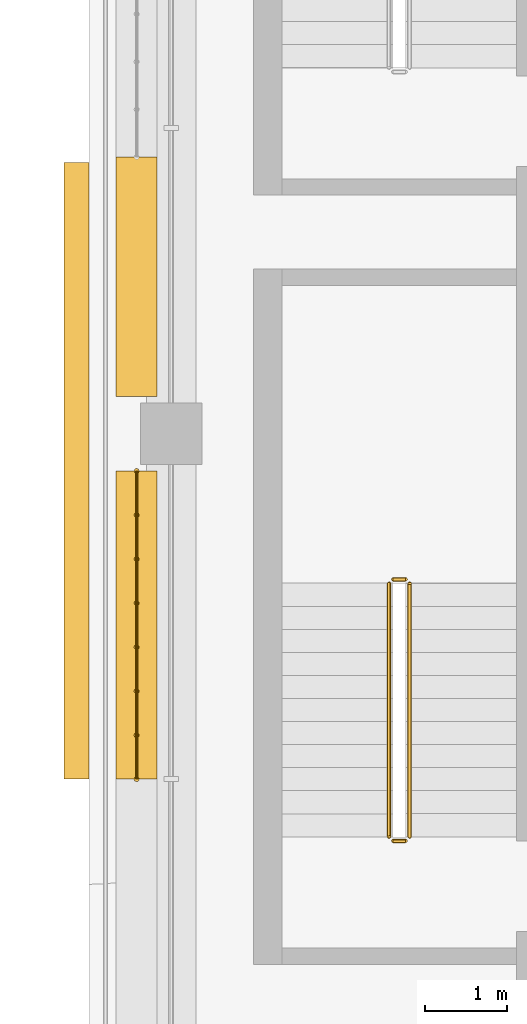
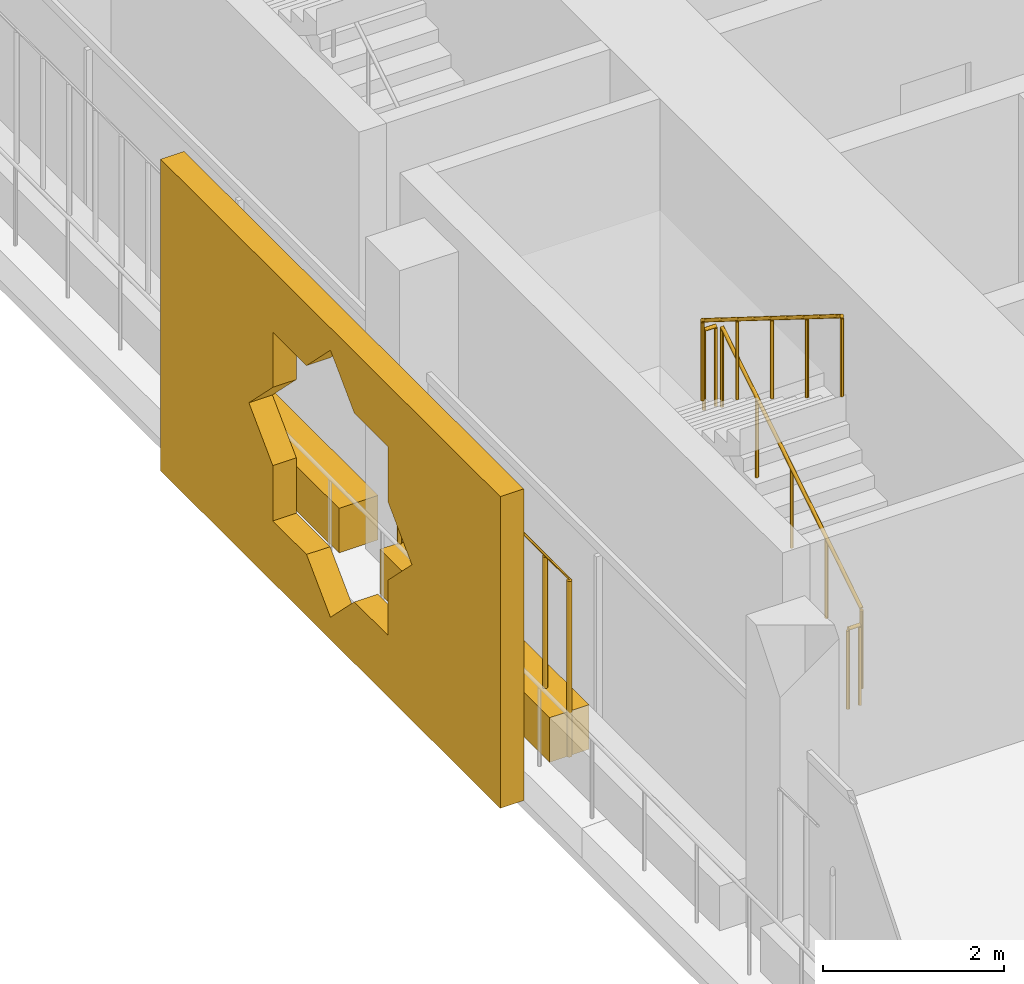
# One storey, part 17 of 21: 5 railings, 3 coverings.
"""IFC4 building model written with IfcOpenShell, lengths in metres."""

from ifc_helpers import new_model, si_unit, direction, frame, origin, origin_2d, place, context, subcontext, project, spatial, polyline, rectangle, circle, outline, extrude, material, material_profile, profile_set, type_object, element, save


model = new_model("IFC4")

# Units and contexts
model_context = context("Model", 3, precision=1e-05, world=origin(), true_north=direction((0.0, 1.0)))
body_context = subcontext(model_context, "Body", "Model", "MODEL_VIEW")
ifc_project = project(units=[si_unit("LENGTHUNIT", "METRE"), si_unit("AREAUNIT", "SQUARE_METRE"), si_unit("VOLUMEUNIT", "CUBIC_METRE"), si_unit("PLANEANGLEUNIT", "RADIAN"), si_unit("MASSUNIT", "GRAM", prefix="KILO")], contexts=[model_context])

# Site, building, storey
site_placement = place(None, origin())
site = spatial("IfcSite", under=ifc_project, at=site_placement, CompositionType="ELEMENT")
building_placement = place(site_placement, origin())
building = spatial("IfcBuilding", under=site, at=building_placement, Name="Kawkab Arch Medical Tower", CompositionType="ELEMENT")
storey_placement = place(building_placement, frame((0.0, 0.0, 311.199951171875)))
storey = spatial("IfcBuildingStorey", under=building, at=storey_placement, Name="L72", CompositionType="ELEMENT", Elevation=311.199951171875)

# Coverings
ifc_material_1 = material(Name="Bronze anodised aluminium mashrabiya panel, eight-point star pattern", Category="aluminium")
ifc_material_profile_1 = material_profile(ifc_material_1, outline(polyline([(-3.75, -2.10009765625), (3.75, -2.10009765625), (3.75, 2.10009765625), (-3.75, 2.10009765625), (-3.75, -2.10009765625)]), holes=[polyline([(1.800048828125, 0.0), (1.272705078125, 0.527099609375), (1.272705078125, 1.272705078125), (0.527099609375, 1.272705078125), (0.0, 1.800048828125), (-0.527099609375, 1.272705078125), (-1.272705078125, 1.272705078125), (-1.272705078125, 0.527099609375), (-1.800048828125, 0.0), (-1.272705078125, -0.527099609375), (-1.272705078125, -1.272705078125), (-0.527099609375, -1.272705078125), (0.0, -1.800048828125), (0.527099609375, -1.272705078125), (1.272705078125, -1.272705078125), (1.272705078125, -0.527099609375), (1.800048828125, 0.0)])]), Name="Mashrabiya panel 7500x4200")
ifc_profile_set_1 = profile_set([ifc_material_profile_1], Name="Bronze anodised aluminium mashrabiya panel, eight-point star pattern")
covering_type_1 = type_object("IfcCoveringType", Name="Mashrabiya panel 7500 x 4200", PredefinedType="USERDEFINED", material=ifc_profile_set_1)
covering_1_placement = place(storey_placement, frame((-1.0, -17.24951171875, 1.699951171875), z_axis=(-1.0, 0.0, 0.0), x_axis=(0.0, -1.0, 0.0)))
element("IfcCovering", 1, at=covering_1_placement, inside=storey, type_object=covering_type_1, Name="Mashrabiya panel L72.LOG-01-01.2", ObjectType="SCREEN", PredefinedType="USERDEFINED", context=body_context, shape_type="SweptSolid", body=[
    extrude(outline(polyline([(-3.75, -2.10009765625), (3.75, -2.10009765625), (3.75, 2.10009765625), (-3.75, 2.10009765625), (-3.75, -2.10009765625)]), holes=[polyline([(1.800048828125, 0.0), (1.272705078125, 0.527099609375), (1.272705078125, 1.272705078125), (0.527099609375, 1.272705078125), (0.0, 1.800048828125), (-0.527099609375, 1.272705078125), (-1.272705078125, 1.272705078125), (-1.272705078125, 0.527099609375), (-1.800048828125, 0.0), (-1.272705078125, -0.527099609375), (-1.272705078125, -1.272705078125), (-0.527099609375, -1.272705078125), (0.0, -1.800048828125), (0.527099609375, -1.272705078125), (1.272705078125, -1.272705078125), (1.272705078125, -0.527099609375), (1.800048828125, 0.0)])]), origin(), (0.0, 0.0, 1.0), 0.300048828125),
])
ifc_material_2 = material(Name="Planting soil in a precast trough", Category="concrete")
ifc_material_profile_2 = material_profile(ifc_material_2, rectangle(XDim=0.5, YDim=0.60009765625, at=origin_2d()), Name="Trough 500x600")
ifc_profile_set_2 = profile_set([ifc_material_profile_2], Name="Planting soil in a precast trough")
covering_type_2 = type_object("IfcCoveringType", Name="Planter trough 500 x 600", PredefinedType="USERDEFINED", material=ifc_profile_set_2)
covering_2_placement = place(storey_placement, frame((-0.419921875, -21.0, 0.300048828125), z_axis=(0.0, 1.0, 0.0), x_axis=(-1.0, 0.0, 0.0)))
element("IfcCovering", 2, at=covering_2_placement, inside=storey, type_object=covering_type_2, Name="Planter L72.LOG-01-01.7", ObjectType="PLANTER", PredefinedType="USERDEFINED", context=body_context, shape_type="SweptSolid", body=[
    extrude(rectangle(XDim=0.5, YDim=0.60009765625, at=origin_2d()), origin(), (0.0, 0.0, 1.0), 3.7470703125),
])
covering_3_placement = place(storey_placement, frame((-0.419921875, -16.346923828125, 0.300048828125), z_axis=(0.0, 1.0, 0.0), x_axis=(-1.0, 0.0, 0.0)))
element("IfcCovering", 3, at=covering_3_placement, inside=storey, type_object=covering_type_2, Name="Planter L72.LOG-01-01.8", ObjectType="PLANTER", PredefinedType="USERDEFINED", context=body_context, shape_type="SweptSolid", body=[
    extrude(rectangle(XDim=0.5, YDim=0.60009765625, at=origin_2d()), origin(), (0.0, 0.0, 1.0), 2.909912109375),
])

# Railings
ifc_material_3 = material(Name="Bronze anodised aluminium trellis for climbing plants", Category="aluminium")
railing_type_1 = type_object("IfcRailingType", Name="Planting trellis 2400", PredefinedType="USERDEFINED", material=ifc_material_3)
railing_1_placement = place(storey_placement, frame((-0.419921875, -21.0, 0.0)))
element("IfcRailing", 4, at=railing_1_placement, inside=storey, type_object=railing_type_1, Name="Planting trellis L72.LOG-01-01.7", ObjectType="TRELLIS", PredefinedType="USERDEFINED", context=body_context, shape_type="SweptSolid", body=[
    extrude(circle(Radius=0.01513671875, at=origin_2d()), frame((0.0, 0.0, 2.384765625), z_axis=(0.0, 1.0, 0.0), x_axis=(-1.0, 0.0, 0.0)), (0.0, 0.0, 1.0), 3.7470703125),
    extrude(circle(Radius=0.030029296875, at=origin_2d()), origin(), (0.0, 0.0, 1.0), 2.369873046875),
    extrude(circle(Radius=0.030029296875, at=origin_2d()), frame((0.0, 0.535400390625, 0.0)), (0.0, 0.0, 1.0), 2.369873046875),
    extrude(circle(Radius=0.030029296875, at=origin_2d()), frame((0.0, 1.070556640625, 0.0)), (0.0, 0.0, 1.0), 2.369873046875),
    extrude(circle(Radius=0.030029296875, at=origin_2d()), frame((0.0, 1.60595703125, 0.0)), (0.0, 0.0, 1.0), 2.369873046875),
    extrude(circle(Radius=0.030029296875, at=origin_2d()), frame((0.0, 2.14111328125, 0.0)), (0.0, 0.0, 1.0), 2.369873046875),
    extrude(circle(Radius=0.030029296875, at=origin_2d()), frame((0.0, 2.676513671875, 0.0)), (0.0, 0.0, 1.0), 2.369873046875),
    extrude(circle(Radius=0.030029296875, at=origin_2d()), frame((0.0, 3.211669921875, 0.0)), (0.0, 0.0, 1.0), 2.369873046875),
    extrude(circle(Radius=0.030029296875, at=origin_2d()), frame((0.0, 3.7470703125, 0.0)), (0.0, 0.0, 1.0), 2.369873046875),
])
ifc_material_4 = material(Name="Stainless steel", Category="steel")
railing_type_2 = type_object("IfcRailingType", Name="Stair guard 1100", PredefinedType="GUARDRAIL", material=ifc_material_4)
railing_2_placement = place(storey_placement, frame((2.89990234375, -21.699951171875, 0.175048828125)))
element("IfcRailing", 5, at=railing_2_placement, inside=storey, type_object=railing_type_2, Name="L72 ST2 stair guard 1", PredefinedType="GUARDRAIL", context=body_context, shape_type="SweptSolid", body=[
    extrude(circle(Radius=0.02392578125, at=origin_2d()), frame((0.0, 0.0, 1.076171875), z_axis=(0.0, 0.847979421464, 0.530029150871), x_axis=(-1.0, 0.0, 0.0)), (0.0, 0.0, 1.0), 3.632080078125),
    extrude(circle(Radius=0.02099609375, at=origin_2d()), origin(), (0.0, 0.0, 1.0), 1.052001953125),
    extrude(circle(Radius=0.02099609375, at=origin_2d()), frame((0.0, 0.77001953125, 0.481201171875)), (0.0, 0.0, 1.0), 1.052001953125),
    extrude(circle(Radius=0.02099609375, at=origin_2d()), frame((0.0, 1.5400390625, 0.96240234375)), (0.0, 0.0, 1.0), 1.052001953125),
    extrude(circle(Radius=0.02099609375, at=origin_2d()), frame((0.0, 2.309814453125, 1.44384765625)), (0.0, 0.0, 1.0), 1.052001953125),
    extrude(circle(Radius=0.02099609375, at=origin_2d()), frame((0.0, 3.079833984375, 1.925048828125)), (0.0, 0.0, 1.0), 1.052001953125),
])
railing_3_placement = place(storey_placement, frame((2.85009765625, -18.570068359375, 2.10009765625)))
element("IfcRailing", 6, at=railing_3_placement, inside=storey, type_object=railing_type_2, Name="L72 ST2 stair guard 2", PredefinedType="GUARDRAIL", context=body_context, shape_type="SweptSolid", body=[
    extrude(circle(Radius=0.02392578125, at=origin_2d()), frame((0.0, 0.0, 1.076171875), z_axis=(-1.0, 0.0, 0.0), x_axis=(0.0, -1.0, 0.0)), (0.0, 0.0, 1.0), 0.150146484375),
    extrude(circle(Radius=0.02099609375, at=origin_2d()), origin(), (0.0, 0.0, 1.0), 1.052001953125),
    extrude(circle(Radius=0.02099609375, at=origin_2d()), frame((-0.150146484375, 0.0, 0.0)), (0.0, 0.0, 1.0), 1.052001953125),
])
railing_4_placement = place(storey_placement, frame((2.64990234375, -18.6201171875, 2.275146484375)))
element("IfcRailing", 7, at=railing_4_placement, inside=storey, type_object=railing_type_2, Name="L72 ST2 stair guard 3", PredefinedType="GUARDRAIL", context=body_context, shape_type="SweptSolid", body=[
    extrude(circle(Radius=0.02392578125, at=origin_2d()), frame((0.0, 0.0, 1.076171875), z_axis=(0.0, -0.848009633417, 0.529980812513), x_axis=(1.0, 0.0, 0.0)), (0.0, 0.0, 1.0), 3.6318359375),
    extrude(circle(Radius=0.02099609375, at=origin_2d()), origin(), (0.0, 0.0, 1.0), 1.052001953125),
    extrude(circle(Radius=0.02099609375, at=origin_2d()), frame((0.0, -0.77001953125, 0.481201171875)), (0.0, 0.0, 1.0), 1.052001953125),
    extrude(circle(Radius=0.02099609375, at=origin_2d()), frame((0.0, -1.5400390625, 0.96240234375)), (0.0, 0.0, 1.0), 1.052001953125),
    extrude(circle(Radius=0.02099609375, at=origin_2d()), frame((0.0, -2.309814453125, 1.443603515625)), (0.0, 0.0, 1.0), 1.052001953125),
    extrude(circle(Radius=0.02099609375, at=origin_2d()), frame((0.0, -3.079833984375, 1.9248046875)), (0.0, 0.0, 1.0), 1.052001953125),
])
railing_5_placement = place(storey_placement, frame((2.85009765625, -21.75, 0.0)))
element("IfcRailing", 8, at=railing_5_placement, inside=storey, type_object=railing_type_2, Name="L72 ST2 stair guard 4", PredefinedType="GUARDRAIL", context=body_context, shape_type="SweptSolid", body=[
    extrude(circle(Radius=0.02392578125, at=origin_2d()), frame((0.0, 0.0, 1.076171875), z_axis=(-1.0, 0.0, 0.0), x_axis=(0.0, -1.0, 0.0)), (0.0, 0.0, 1.0), 0.150146484375),
    extrude(circle(Radius=0.02099609375, at=origin_2d()), origin(), (0.0, 0.0, 1.0), 1.052001953125),
    extrude(circle(Radius=0.02099609375, at=origin_2d()), frame((-0.150146484375, 0.0, 0.0)), (0.0, 0.0, 1.0), 1.052001953125),
])

save(model, "model.ifc")
